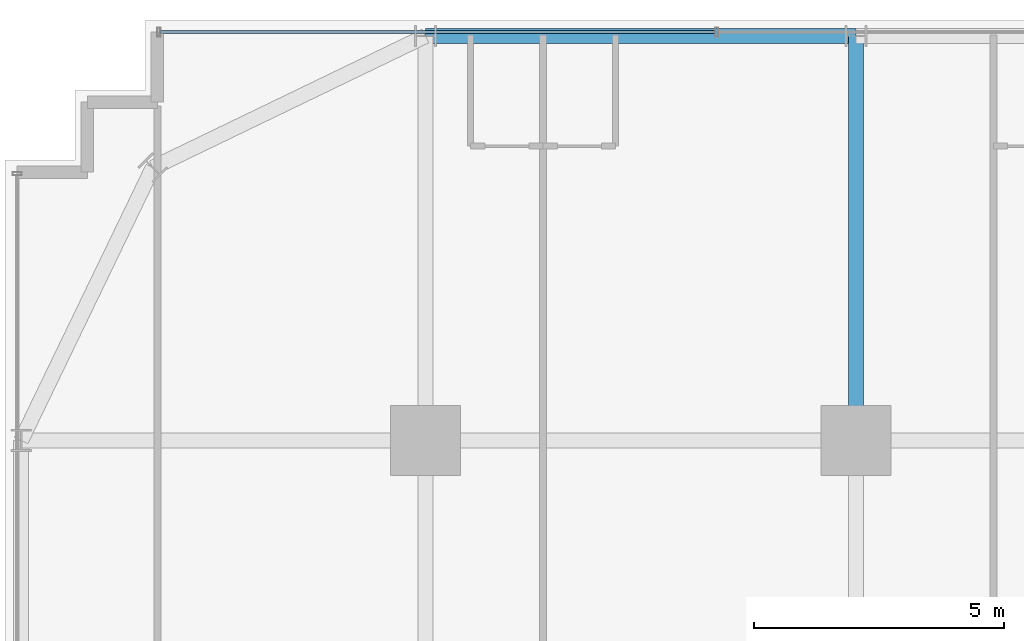
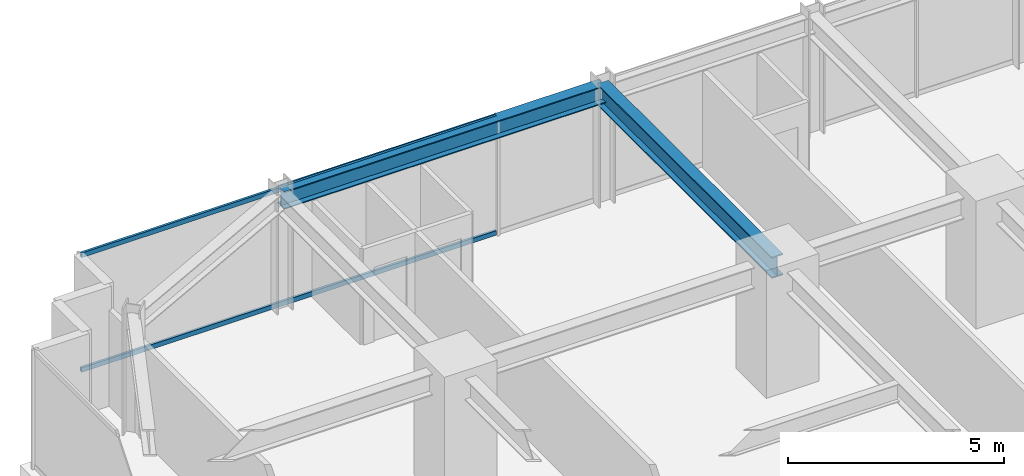
# One storey, part 22 of 37: 2 beams, 2 members, 1 element without a shape of its own.
"""IFC4 building model written with IfcOpenShell, lengths in metres."""

from ifc_helpers import new_model, si_unit, direction, frame, origin, origin_2d, place, context, subcontext, project, spatial, hollow_rectangle, i_section, extrude, source, transform, mapped, material, material_profile, profile_set, type_object, element, aggregate, save


model = new_model("IFC4")

# Units and contexts
model_context = context("Model", 3, precision=1e-05, world=origin(), true_north=direction((0.0, 1.0)))
body_context = subcontext(model_context, "Body", "Model", "MODEL_VIEW")
ifc_project = project(units=[si_unit("LENGTHUNIT", "METRE"), si_unit("AREAUNIT", "SQUARE_METRE"), si_unit("VOLUMEUNIT", "CUBIC_METRE"), si_unit("PLANEANGLEUNIT", "RADIAN"), si_unit("MASSUNIT", "GRAM", prefix="KILO")], contexts=[model_context])

# Site, building, storey
site_placement = place(None, origin())
site = spatial("IfcSite", under=ifc_project, at=site_placement, CompositionType="ELEMENT")
building_placement = place(site_placement, origin())
building = spatial("IfcBuilding", under=site, at=building_placement, Name="Nahalor Promenade Grand Hotel", CompositionType="ELEMENT")
storey_placement = place(building_placement, frame((0.0, 0.0, 36.050048828125)))
storey = spatial("IfcBuildingStorey", under=building, at=storey_placement, Name="L07", CompositionType="ELEMENT", Elevation=36.050048828125)

# Beams
ifc_material_1 = material(Name="Steel S355JR", Category="steel")
ifc_material_profile_1 = material_profile(ifc_material_1, i_section(OverallWidth=0.3, OverallDepth=0.5, WebThickness=0.0145, FlangeThickness=0.028, at=origin_2d()), Name="HEB 500")
ifc_profile_set_1 = profile_set([ifc_material_profile_1], Name="Steel S355JR")
beam_type_1 = type_object("IfcBeamType", Name="Beam-Spandrel-HEB500", PredefinedType="SPANDREL", material=ifc_profile_set_1)
shared_shape_1 = source(origin(), body_context, "Body", "SweptSolid", [
    extrude(i_section(OverallWidth=0.3, OverallDepth=0.5, WebThickness=0.0145, FlangeThickness=0.028, at=origin_2d()), origin(), (0.0, 0.0, 1.0), 8.60009765625),
])
beam_1_placement = place(storey_placement, frame((-17.0, 25.080078125, 3.119873046875), z_axis=(1.0, 0.0, 0.0), x_axis=(0.0, 1.0, 0.0)))
element("IfcBeam", 1, at=beam_1_placement, inside=storey, type_object=beam_type_1, Name="BM-L07-SP-N-0", PredefinedType="SPANDREL", context=body_context, shape_type="MappedRepresentation", body=[
    mapped(shared_shape_1, transform((0.0, 0.0, 0.0), scale=1.0)),
])
ifc_material_profile_2 = material_profile(ifc_material_1, i_section(OverallWidth=0.3, OverallDepth=0.6, WebThickness=0.0155, FlangeThickness=0.03, at=origin_2d()), Name="HEB 600")
ifc_profile_set_2 = profile_set([ifc_material_profile_2], Name="Steel S355JR")
beam_type_2 = type_object("IfcBeamType", Name="Beam-Girder-HEB600", PredefinedType="BEAM", material=ifc_profile_set_2)
shared_shape_2 = source(origin(), body_context, "Body", "SweptSolid", [
    extrude(i_section(OverallWidth=0.3, OverallDepth=0.6, WebThickness=0.0155, FlangeThickness=0.03, at=origin_2d()), origin(), (0.0, 0.0, 1.0), 8.080078125),
])
beam_2_placement = place(storey_placement, frame((-8.39990234375, 17.0, 3.070068359375), z_axis=(0.0, 1.0, 0.0), x_axis=(-1.0, 0.0, 0.0)))
element("IfcBeam", 2, at=beam_2_placement, inside=storey, type_object=beam_type_2, Name="BM-L07-GY-1-4", PredefinedType="BEAM", context=body_context, shape_type="MappedRepresentation", body=[
    mapped(shared_shape_2, transform((0.0, 0.0, 0.0), scale=1.0)),
])

# Curtain wall, members
ifc_material_2 = material(Name="Anodised Bronze Aluminium EN AW-6063 T6", Category="aluminium")
curtain_wall_type = type_object("IfcCurtainWallType", Name="CW2 Typical Hotel Flush Bronze Unitised Curtain Wall", PredefinedType="USERDEFINED", material=ifc_material_2)
curtain_wall_placement = place(storey_placement, origin())
curtain_wall = element("IfcCurtainWall", 3, at=curtain_wall_placement, inside=storey, type_object=curtain_wall_type, Name="L07 Curtain Wall CW-L07-N-1", ObjectType="UNITISED_CURTAIN_WALL", PredefinedType="USERDEFINED")
ifc_material_profile_3 = material_profile(ifc_material_2, hollow_rectangle(XDim=0.065, YDim=0.13, WallThickness=0.004, at=origin_2d()), Name="CWT 65x130x4")
ifc_profile_set_3 = profile_set([ifc_material_profile_3], Name="Anodised Bronze Aluminium EN AW-6063 T6")
member_type = type_object("IfcMemberType", Name="CWT2 Typical Bronze Transom 65x130", PredefinedType="USERDEFINED", material=ifc_profile_set_3)
shared_shape_3 = source(origin(), body_context, "Body", "SweptSolid", [
    extrude(hollow_rectangle(XDim=0.065, YDim=0.13, WallThickness=0.004, at=origin_2d()), origin(), (0.0, 0.0, 1.0), 11.08251953125),
])
member_1_placement = place(storey_placement, frame((-22.294921875, 25.159912109375, 0.06494140625), z_axis=(1.0, 0.0, 0.0), x_axis=(0.0, 1.0, 0.0)))
member_1 = element("IfcMember", 4, at=member_1_placement, type_object=member_type, Name="CW-L07-N-1 Transom 0-0", ObjectType="TRANSOM", PredefinedType="USERDEFINED", context=body_context, shape_type="MappedRepresentation", body=[
    mapped(shared_shape_3, transform((0.0, 0.0, 0.0), scale=1.0)),
])
member_2_placement = place(storey_placement, frame((-22.294921875, 25.159912109375, 3.304931640625), z_axis=(1.0, 0.0, 0.0), x_axis=(0.0, 1.0, 0.0)))
member_2 = element("IfcMember", 5, at=member_2_placement, type_object=member_type, Name="CW-L07-N-1 Transom 0-1", ObjectType="TRANSOM", PredefinedType="USERDEFINED", context=body_context, shape_type="MappedRepresentation", body=[
    mapped(shared_shape_3, transform((0.0, 0.0, 0.0), scale=1.0)),
])
aggregate(curtain_wall, [member_1, member_2])

save(model, "model.ifc")
